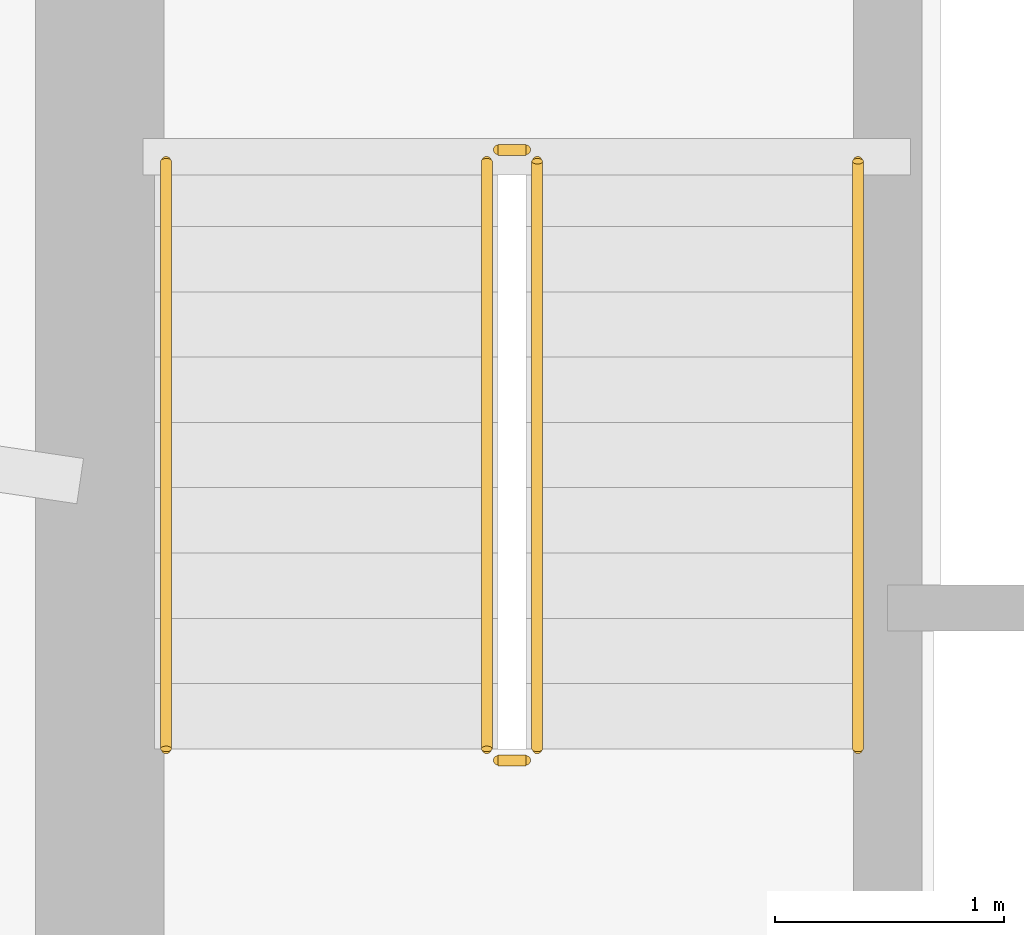
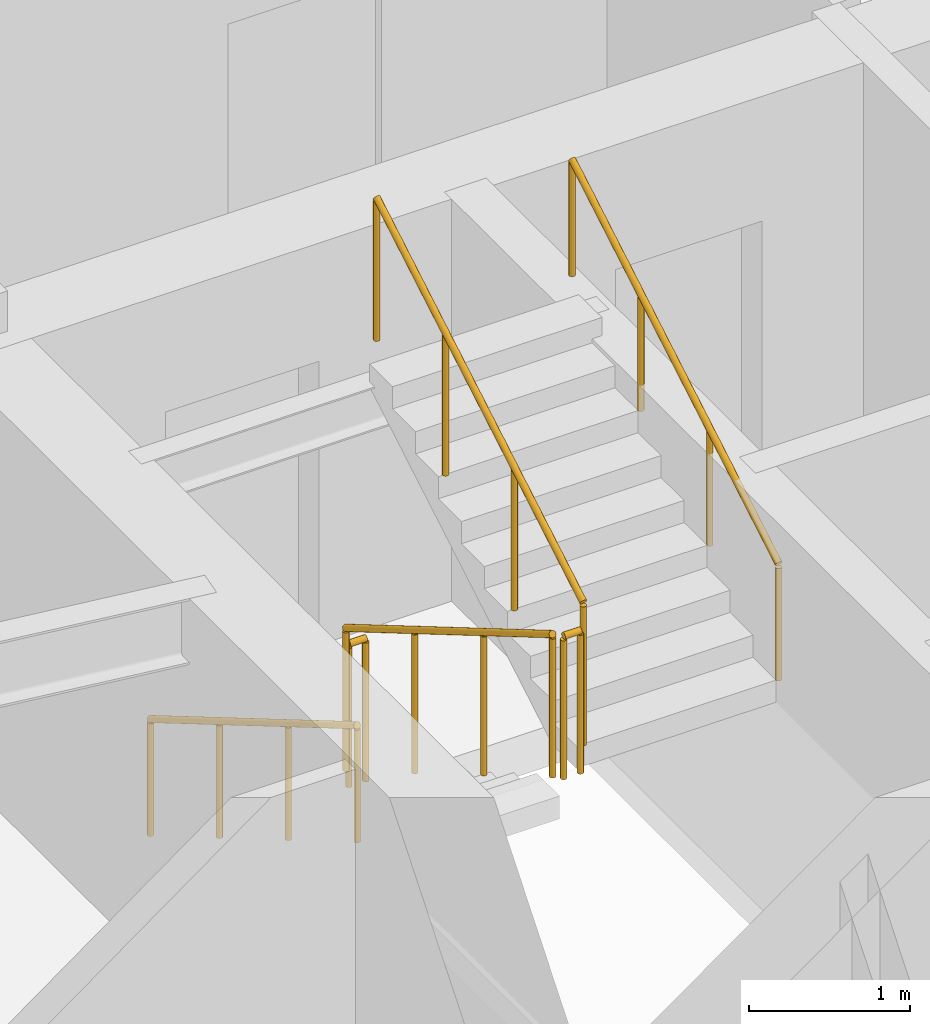
# One storey, part 16 of 18: 6 railings.
"""IFC4 building model written with IfcOpenShell, lengths in metres."""

from ifc_helpers import new_model, si_unit, direction, frame, origin, origin_2d, place, context, subcontext, project, spatial, circle, extrude, material, type_object, element, save


model = new_model("IFC4")

# Units and contexts
model_context = context("Model", 3, precision=1e-05, world=origin(), true_north=direction((0.0, 1.0)))
body_context = subcontext(model_context, "Body", "Model", "MODEL_VIEW")
ifc_project = project(units=[si_unit("LENGTHUNIT", "METRE"), si_unit("AREAUNIT", "SQUARE_METRE"), si_unit("VOLUMEUNIT", "CUBIC_METRE"), si_unit("PLANEANGLEUNIT", "RADIAN"), si_unit("MASSUNIT", "GRAM", prefix="KILO")], contexts=[model_context])

# Site, building, storey
site_placement = place(None, origin())
site = spatial("IfcSite", under=ifc_project, at=site_placement, CompositionType="ELEMENT")
building_placement = place(site_placement, origin())
building = spatial("IfcBuilding", under=site, at=building_placement, Name="Qobustan Lattice House", CompositionType="ELEMENT")
storey_placement = place(building_placement, frame((0.0, 0.0, 109.14990234375)))
storey = spatial("IfcBuildingStorey", under=building, at=storey_placement, Name="L30", CompositionType="ELEMENT", Elevation=109.14990234375)

# Railings
ifc_material_1 = material(Name="Brushed stainless steel handrail", Category="steel")
railing_type_1 = type_object("IfcRailingType", Name="RAL-HR-920", PredefinedType="HANDRAIL", material=ifc_material_1)
railing_1_placement = place(storey_placement, frame((-18.199951171875, 3.5, 0.16748046875)))
element("IfcRailing", 1, at=railing_1_placement, inside=storey, type_object=railing_type_1, Name="L30 ST-W1 stair handrail 1", PredefinedType="HANDRAIL", context=body_context, shape_type="SweptSolid", body=[
    extrude(circle(Radius=0.02392578125, at=origin_2d()), frame((0.0, 0.0, 0.8759765625), z_axis=(0.0, -0.862113467892, 0.50671527358), x_axis=(1.0, 0.0, 0.0)), (0.0, 0.0, 1.0), 2.97509765625),
    extrude(circle(Radius=0.02099609375, at=origin_2d()), origin(), (0.0, 0.0, 1.0), 0.851806640625),
    extrude(circle(Radius=0.02099609375, at=origin_2d()), frame((0.0, -0.85498046875, 0.50244140625)), (0.0, 0.0, 1.0), 0.851806640625),
    extrude(circle(Radius=0.02099609375, at=origin_2d()), frame((0.0, -1.7099609375, 1.005126953125)), (0.0, 0.0, 1.0), 0.851806640625),
    extrude(circle(Radius=0.02099609375, at=origin_2d()), frame((0.0, -2.56494140625, 1.507568359375)), (0.0, 0.0, 1.0), 0.851806640625),
])
railing_2_placement = place(storey_placement, frame((-15.179931640625, 0.93505859375, 1.842529296875)))
element("IfcRailing", 2, at=railing_2_placement, inside=storey, type_object=railing_type_1, Name="L30 ST-W1 stair handrail 2", PredefinedType="HANDRAIL", context=body_context, shape_type="SweptSolid", body=[
    extrude(circle(Radius=0.02392578125, at=origin_2d()), frame((0.0, 0.0, 0.8759765625), z_axis=(0.0, 0.862113467892, 0.50671527358), x_axis=(-1.0, 0.0, 0.0)), (0.0, 0.0, 1.0), 2.97509765625),
    extrude(circle(Radius=0.02099609375, at=origin_2d()), origin(), (0.0, 0.0, 1.0), 0.851806640625),
    extrude(circle(Radius=0.02099609375, at=origin_2d()), frame((0.0, 0.85498046875, 0.50244140625)), (0.0, 0.0, 1.0), 0.851806640625),
    extrude(circle(Radius=0.02099609375, at=origin_2d()), frame((0.0, 1.7099609375, 1.005126953125)), (0.0, 0.0, 1.0), 0.851806640625),
    extrude(circle(Radius=0.02099609375, at=origin_2d()), frame((0.0, 2.56494140625, 1.507568359375)), (0.0, 0.0, 1.0), 0.851806640625),
])
ifc_material_2 = material(Name="Painted galvanized steel guardrail", Category="steel")
railing_type_2 = type_object("IfcRailingType", Name="RAL-STG-1150", PredefinedType="GUARDRAIL", material=ifc_material_2)
railing_3_placement = place(storey_placement, frame((-16.800048828125, 3.5, 0.16748046875)))
element("IfcRailing", 3, at=railing_3_placement, inside=storey, type_object=railing_type_2, Name="L30 ST-W1 stair guard 1", PredefinedType="GUARDRAIL", context=body_context, shape_type="SweptSolid", body=[
    extrude(circle(Radius=0.02392578125, at=origin_2d()), frame((0.0, 0.0, 1.076171875), z_axis=(0.0, -0.862113467892, 0.50671527358), x_axis=(1.0, 0.0, 0.0)), (0.0, 0.0, 1.0), 2.97509765625),
    extrude(circle(Radius=0.02099609375, at=origin_2d()), origin(), (0.0, 0.0, 1.0), 1.052001953125),
    extrude(circle(Radius=0.02099609375, at=origin_2d()), frame((0.0, -0.85498046875, 0.50244140625)), (0.0, 0.0, 1.0), 1.052001953125),
    extrude(circle(Radius=0.02099609375, at=origin_2d()), frame((0.0, -1.7099609375, 1.005126953125)), (0.0, 0.0, 1.0), 1.052001953125),
    extrude(circle(Radius=0.02099609375, at=origin_2d()), frame((0.0, -2.56494140625, 1.507568359375)), (0.0, 0.0, 1.0), 1.052001953125),
])
railing_4_placement = place(storey_placement, frame((-16.75, 0.885009765625, 1.675048828125)))
element("IfcRailing", 4, at=railing_4_placement, inside=storey, type_object=railing_type_2, Name="L30 ST-W1 stair guard 2", PredefinedType="GUARDRAIL", context=body_context, shape_type="SweptSolid", body=[
    extrude(circle(Radius=0.02392578125, at=origin_2d()), frame((0.0, 0.0, 1.076171875), z_axis=(1.0, 0.0, 0.0), x_axis=(0.0, 1.0, 0.0)), (0.0, 0.0, 1.0), 0.1201171875),
    extrude(circle(Radius=0.02099609375, at=origin_2d()), origin(), (0.0, 0.0, 1.0), 1.052001953125),
    extrude(circle(Radius=0.02099609375, at=origin_2d()), frame((0.1201171875, 0.0, 0.0)), (0.0, 0.0, 1.0), 1.052001953125),
])
railing_5_placement = place(storey_placement, frame((-16.580078125, 0.93505859375, 1.842529296875)))
element("IfcRailing", 5, at=railing_5_placement, inside=storey, type_object=railing_type_2, Name="L30 ST-W1 stair guard 3", PredefinedType="GUARDRAIL", context=body_context, shape_type="SweptSolid", body=[
    extrude(circle(Radius=0.02392578125, at=origin_2d()), frame((0.0, 0.0, 1.076171875), z_axis=(0.0, 0.862113467892, 0.50671527358), x_axis=(-1.0, 0.0, 0.0)), (0.0, 0.0, 1.0), 2.97509765625),
    extrude(circle(Radius=0.02099609375, at=origin_2d()), origin(), (0.0, 0.0, 1.0), 1.052001953125),
    extrude(circle(Radius=0.02099609375, at=origin_2d()), frame((0.0, 0.85498046875, 0.50244140625)), (0.0, 0.0, 1.0), 1.052001953125),
    extrude(circle(Radius=0.02099609375, at=origin_2d()), frame((0.0, 1.7099609375, 1.005126953125)), (0.0, 0.0, 1.0), 1.052001953125),
    extrude(circle(Radius=0.02099609375, at=origin_2d()), frame((0.0, 2.56494140625, 1.507568359375)), (0.0, 0.0, 1.0), 1.052001953125),
])
railing_6_placement = place(storey_placement, frame((-16.75, 3.550048828125, 0.0)))
element("IfcRailing", 6, at=railing_6_placement, inside=storey, type_object=railing_type_2, Name="L30 ST-W1 stair guard 4", PredefinedType="GUARDRAIL", context=body_context, shape_type="SweptSolid", body=[
    extrude(circle(Radius=0.02392578125, at=origin_2d()), frame((0.0, 0.0, 1.076171875), z_axis=(1.0, 0.0, 0.0), x_axis=(0.0, 1.0, 0.0)), (0.0, 0.0, 1.0), 0.1201171875),
    extrude(circle(Radius=0.02099609375, at=origin_2d()), origin(), (0.0, 0.0, 1.0), 1.052001953125),
    extrude(circle(Radius=0.02099609375, at=origin_2d()), frame((0.1201171875, 0.0, 0.0)), (0.0, 0.0, 1.0), 1.052001953125),
])

save(model, "model.ifc")
